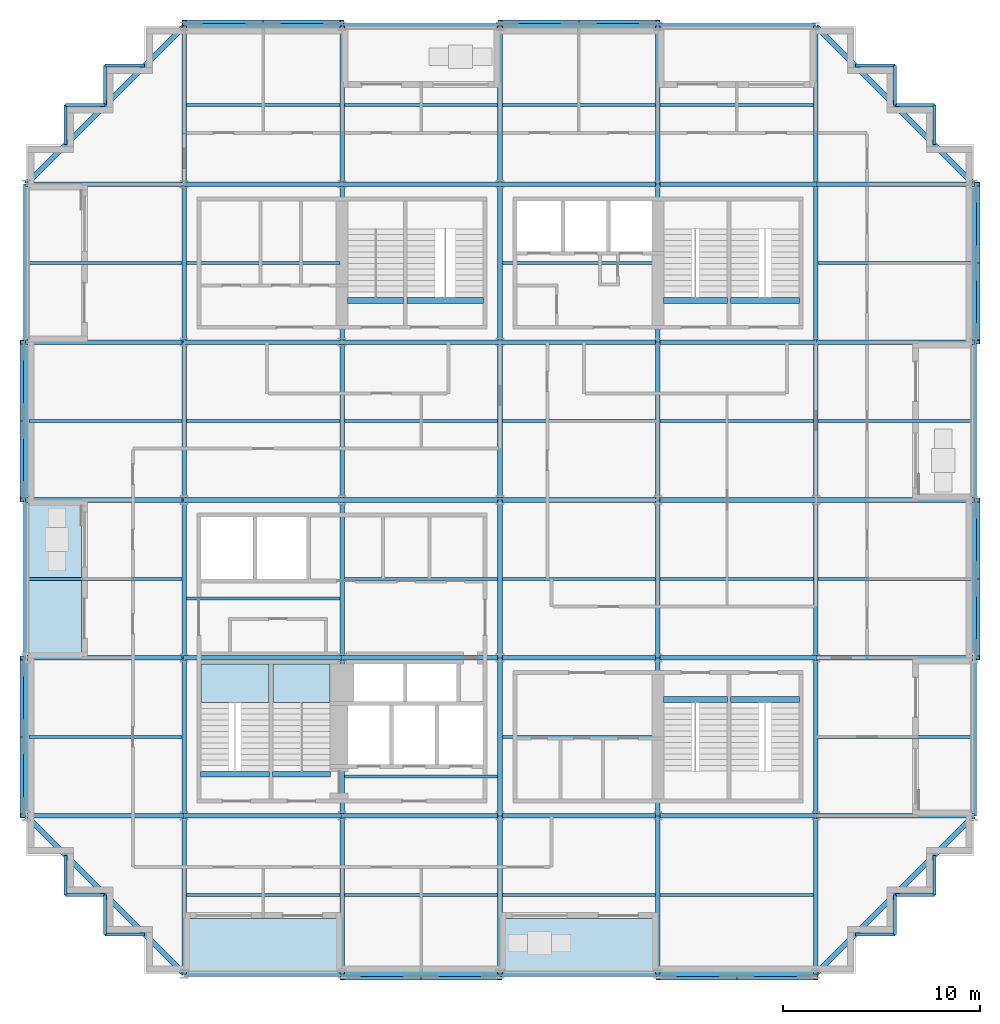
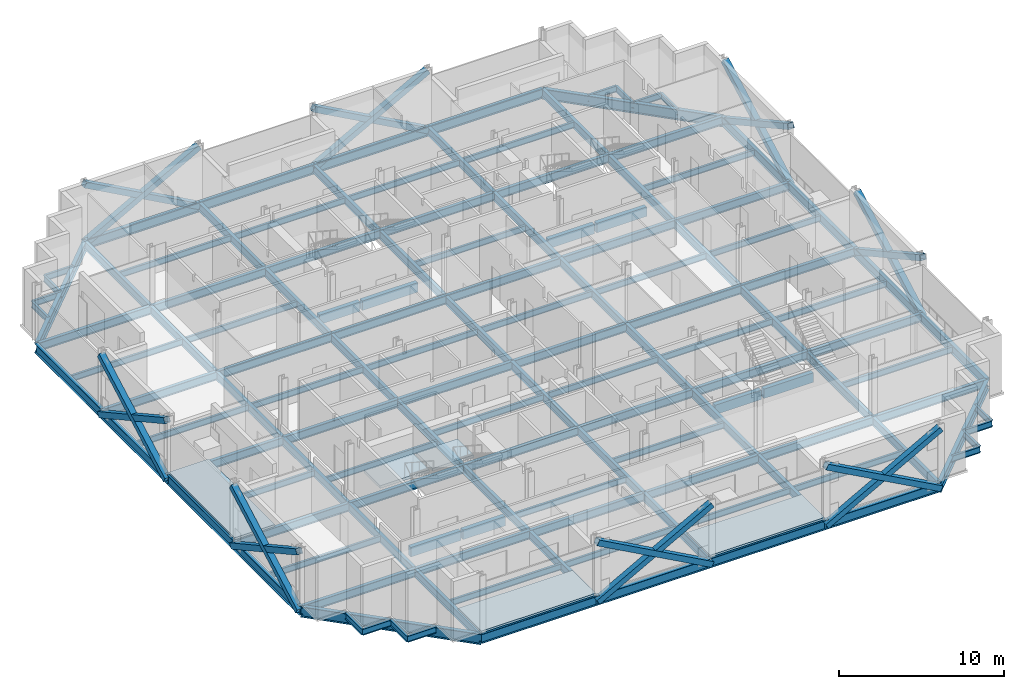
# One storey, part 4 of 15: 132 beams, 16 members, 5 slabs, 2 elements without a shape of their own.
"""IFC4 building model written with IfcOpenShell, lengths in metres."""

from ifc_helpers import new_model, si_unit, direction, frame, origin, origin_2d, place, context, subcontext, project, spatial, polyline, rectangle, hollow_rectangle, i_section, outline, extrude, material, layer, layer_set, material_profile, profile_set, type_object, element, aggregate, save


model = new_model("IFC4")

# Units and contexts
model_context = context("Model", 3, precision=1e-05, world=origin(), true_north=direction((0.0, 1.0)))
body_context = subcontext(model_context, "Body", "Model", "MODEL_VIEW")
ifc_project = project(units=[si_unit("LENGTHUNIT", "METRE"), si_unit("AREAUNIT", "SQUARE_METRE"), si_unit("VOLUMEUNIT", "CUBIC_METRE"), si_unit("PLANEANGLEUNIT", "RADIAN"), si_unit("MASSUNIT", "GRAM", prefix="KILO")], contexts=[model_context])

# Site, building, storey
site_placement = place(None, origin())
site = spatial("IfcSite", under=ifc_project, at=site_placement, CompositionType="ELEMENT")
building_placement = place(site_placement, origin())
building = spatial("IfcBuilding", under=site, at=building_placement, Name="Immortelle Media Tower", CompositionType="ELEMENT")
storey_placement = place(building_placement, frame((0.0, 0.0, 105.199951171875)))
storey = spatial("IfcBuildingStorey", under=building, at=storey_placement, Name="L20", CompositionType="ELEMENT", Elevation=105.199951171875)

# Members
ifc_material_1 = material(Name="Steel ASTM A500 Gr C", Category="steel")
ifc_material_profile_1 = material_profile(ifc_material_1, hollow_rectangle(XDim=0.406005859375, YDim=0.406005859375, WallThickness=0.014892578125, at=origin_2d()), Name="HSS16x16x5/8 brace")
ifc_profile_set_1 = profile_set([ifc_material_profile_1], Name="Steel ASTM A500 Gr C")
member_type = type_object("IfcMemberType", Name="HSS16x16x5/8 brace", PredefinedType="BRACE", material=ifc_profile_set_1)
for number, where, z_axis, x_axis, name in (
    (1, (-0.113037109375, 32.0, -0.496337890625), (0.0, -0.876220425204, 0.481910537812), (1.0, 0.0, 0.0), "Brace 1/D-E A"),
    (2, (-0.113037109375, 32.0, 3.903564453125), (0.0, -0.876220425204, -0.481910537812), (1.0, 0.0, 0.0), "Brace 1/D-E B"),
    (3, (-0.113037109375, 16.0, -0.496337890625), (0.0, -0.876220425204, 0.481910537812), (1.0, 0.0, 0.0), "Brace 1/B-C A"),
    (4, (-0.113037109375, 16.0, 3.903564453125), (0.0, -0.876220425204, -0.481910537812), (1.0, 0.0, 0.0), "Brace 1/B-C B"),
    (5, (16.0, -0.113037109375, -0.496337890625), (0.876220425204, 0.0, 0.481910537812), (0.0, 1.0, 0.0), "Brace A/3-4 A"),
    (6, (16.0, -0.113037109375, 3.903564453125), (0.876220425204, 0.0, -0.481910537812), (0.0, 1.0, 0.0), "Brace A/3-4 B"),
    (7, (32.0, -0.113037109375, -0.496337890625), (0.876220425204, 0.0, 0.481910537812), (0.0, 1.0, 0.0), "Brace A/5-6 A"),
    (8, (32.0, -0.113037109375, 3.903564453125), (0.876220425204, 0.0, -0.481910537812), (0.0, 1.0, 0.0), "Brace A/5-6 B"),
    (9, (48.113037109375, 16.0, -0.496337890625), (0.0, 0.876220425204, 0.481910537812), (-1.0, 0.0, 0.0), "Brace 7/C-D A"),
    (10, (48.113037109375, 16.0, 3.903564453125), (0.0, 0.876220425204, -0.481910537812), (-1.0, 0.0, 0.0), "Brace 7/C-D B"),
    (11, (48.113037109375, 32.0, -0.496337890625), (0.0, 0.876220425204, 0.481910537812), (-1.0, 0.0, 0.0), "Brace 7/E-F A"),
    (12, (48.113037109375, 32.0, 3.903564453125), (0.0, 0.876220425204, -0.481910537812), (-1.0, 0.0, 0.0), "Brace 7/E-F B"),
    (13, (32.0, 48.113037109375, -0.496337890625), (-0.876220425204, 0.0, 0.481910537812), (0.0, -1.0, 0.0), "Brace G/4-5 A"),
    (14, (32.0, 48.113037109375, 3.903564453125), (-0.876220425204, 0.0, -0.481910537812), (0.0, -1.0, 0.0), "Brace G/4-5 B"),
    (15, (16.0, 48.113037109375, -0.496337890625), (-0.876220425204, 0.0, 0.481910537812), (0.0, -1.0, 0.0), "Brace G/2-3 A"),
    (16, (16.0, 48.113037109375, 3.903564453125), (-0.876220425204, 0.0, -0.481910537812), (0.0, -1.0, 0.0), "Brace G/2-3 B"),
):
    element("IfcMember", number, at=place(storey_placement, frame(where, z_axis=z_axis, x_axis=x_axis)), inside=storey, type_object=member_type, Name=name, PredefinedType="BRACE", context=body_context, shape_type="SweptSolid", body=[
        extrude(hollow_rectangle(XDim=0.406005859375, YDim=0.406005859375, WallThickness=0.014892578125, at=origin_2d()), origin(), (0.0, 0.0, 1.0), 9.130126953125),
    ])

# Beams
ifc_material_2 = material(Name="Concrete C50/60", Category="concrete")
ifc_material_profile_2 = material_profile(ifc_material_2, rectangle(XDim=0.300048828125, YDim=0.699951171875, at=origin_2d()), Name="RC 300x700")
ifc_profile_set_2 = profile_set([ifc_material_profile_2], Name="Concrete C50/60")
beam_type_1 = type_object("IfcBeamType", Name="Stair trimmer beam 300 x 700", PredefinedType="BEAM", material=ifc_profile_set_2)
beam_1_placement = place(storey_placement, frame((8.830078125, 10.10498046875, -0.5), z_axis=(1.0, 0.0, 0.0), x_axis=(0.0, 1.0, 0.0)))
element("IfcBeam", 17, at=beam_1_placement, inside=storey, type_object=beam_type_1, Name="Stair trimmer beam SW1", PredefinedType="BEAM", context=body_context, shape_type="SweptSolid", body=[
    extrude(rectangle(XDim=0.300048828125, YDim=0.699951171875, at=origin_2d()), origin(), (0.0, 0.0, 1.0), 3.489990234375),
])
beam_2_placement = place(storey_placement, frame((12.47998046875, 10.10498046875, -0.5), z_axis=(1.0, 0.0, 0.0), x_axis=(0.0, 1.0, 0.0)))
element("IfcBeam", 18, at=beam_2_placement, inside=storey, type_object=beam_type_1, Name="Stair trimmer beam SW2", PredefinedType="BEAM", context=body_context, shape_type="SweptSolid", body=[
    extrude(rectangle(XDim=0.300048828125, YDim=0.699951171875, at=origin_2d()), origin(), (0.0, 0.0, 1.0), 2.93994140625),
])
beam_3_placement = place(storey_placement, frame((32.280029296875, 13.89501953125, -0.5), z_axis=(1.0, 0.0, 0.0), x_axis=(0.0, 1.0, 0.0)))
element("IfcBeam", 19, at=beam_3_placement, inside=storey, type_object=beam_type_1, Name="Stair trimmer beam SE1", PredefinedType="BEAM", context=body_context, shape_type="SweptSolid", body=[
    extrude(rectangle(XDim=0.300048828125, YDim=0.699951171875, at=origin_2d()), origin(), (0.0, 0.0, 1.0), 3.239990234375),
])
beam_4_placement = place(storey_placement, frame((35.679931640625, 13.89501953125, -0.5), z_axis=(1.0, 0.0, 0.0), x_axis=(0.0, 1.0, 0.0)))
element("IfcBeam", 20, at=beam_4_placement, inside=storey, type_object=beam_type_1, Name="Stair trimmer beam SE2", PredefinedType="BEAM", context=body_context, shape_type="SweptSolid", body=[
    extrude(rectangle(XDim=0.300048828125, YDim=0.699951171875, at=origin_2d()), origin(), (0.0, 0.0, 1.0), 3.489990234375),
])
beam_5_placement = place(storey_placement, frame((16.280029296875, 34.10498046875, -0.5), z_axis=(1.0, 0.0, 0.0), x_axis=(0.0, 1.0, 0.0)))
element("IfcBeam", 21, at=beam_5_placement, inside=storey, type_object=beam_type_1, Name="Stair trimmer beam NW1", PredefinedType="BEAM", context=body_context, shape_type="SweptSolid", body=[
    extrude(rectangle(XDim=0.300048828125, YDim=0.699951171875, at=origin_2d()), origin(), (0.0, 0.0, 1.0), 2.840087890625),
])
beam_6_placement = place(storey_placement, frame((19.280029296875, 34.10498046875, -0.5), z_axis=(1.0, 0.0, 0.0), x_axis=(0.0, 1.0, 0.0)))
element("IfcBeam", 22, at=beam_6_placement, inside=storey, type_object=beam_type_1, Name="Stair trimmer beam NW2", PredefinedType="BEAM", context=body_context, shape_type="SweptSolid", body=[
    extrude(rectangle(XDim=0.300048828125, YDim=0.699951171875, at=origin_2d()), origin(), (0.0, 0.0, 1.0), 3.889892578125),
])
beam_7_placement = place(storey_placement, frame((32.280029296875, 34.10498046875, -0.5), z_axis=(1.0, 0.0, 0.0), x_axis=(0.0, 1.0, 0.0)))
element("IfcBeam", 23, at=beam_7_placement, inside=storey, type_object=beam_type_1, Name="Stair trimmer beam NE1", PredefinedType="BEAM", context=body_context, shape_type="SweptSolid", body=[
    extrude(rectangle(XDim=0.300048828125, YDim=0.699951171875, at=origin_2d()), origin(), (0.0, 0.0, 1.0), 3.239990234375),
])
beam_8_placement = place(storey_placement, frame((35.679931640625, 34.10498046875, -0.5), z_axis=(1.0, 0.0, 0.0), x_axis=(0.0, 1.0, 0.0)))
element("IfcBeam", 24, at=beam_8_placement, inside=storey, type_object=beam_type_1, Name="Stair trimmer beam NE2", PredefinedType="BEAM", context=body_context, shape_type="SweptSolid", body=[
    extrude(rectangle(XDim=0.300048828125, YDim=0.699951171875, at=origin_2d()), origin(), (0.0, 0.0, 1.0), 3.489990234375),
])
ifc_material_3 = material(Name="Steel ASTM A992 Gr 50", Category="steel")
ifc_material_profile_3 = material_profile(ifc_material_3, i_section(OverallWidth=0.153076171875, OverallDepth=0.455078125, WebThickness=0.008056640625, FlangeThickness=0.012939453125, at=origin_2d()), Name="W18x40")
ifc_profile_set_3 = profile_set([ifc_material_profile_3], Name="Steel ASTM A992 Gr 50")
beam_type_2 = type_object("IfcBeamType", Name="W18x40 secondary beam", PredefinedType="JOIST", material=ifc_profile_set_3)
for number, where, z_axis, x_axis, name in (
    (25, (8.114501953125, 4.0, -0.37744140625), (1.0, 0.0, 0.0), (0.0, 1.0, 0.0), "Beam A-B/2-3"),
    (26, (16.114501953125, 4.0, -0.37744140625), (1.0, 0.0, 0.0), (0.0, 1.0, 0.0), "Beam A-B/3-4"),
    (27, (24.114501953125, 4.0, -0.37744140625), (1.0, 0.0, 0.0), (0.0, 1.0, 0.0), "Beam A-B/4-5"),
    (28, (32.114501953125, 4.0, -0.37744140625), (1.0, 0.0, 0.0), (0.0, 1.0, 0.0), "Beam A-B/5-6"),
):
    element("IfcBeam", number, at=place(storey_placement, frame(where, z_axis=z_axis, x_axis=x_axis)), inside=storey, type_object=beam_type_2, Name=name, PredefinedType="JOIST", context=body_context, shape_type="SweptSolid", body=[
        extrude(i_section(OverallWidth=0.153076171875, OverallDepth=0.455078125, WebThickness=0.008056640625, FlangeThickness=0.012939453125, at=origin_2d()), origin(), (0.0, 0.0, 1.0), 7.77099609375),
    ])
beam_9_placement = place(storey_placement, frame((0.12841796875, 12.0, -0.37744140625), z_axis=(1.0, 0.0, 0.0), x_axis=(0.0, 1.0, 0.0)))
element("IfcBeam", 29, at=beam_9_placement, inside=storey, type_object=beam_type_2, Name="Beam B-C/1-2", PredefinedType="JOIST", context=body_context, shape_type="SweptSolid", body=[
    extrude(i_section(OverallWidth=0.153076171875, OverallDepth=0.455078125, WebThickness=0.008056640625, FlangeThickness=0.012939453125, at=origin_2d()), origin(), (0.0, 0.0, 1.0), 7.757080078125),
])
for number, where, z_axis, x_axis, name in (
    (30, (16.114501953125, 10.0, -0.37744140625), (1.0, 0.0, 0.0), (0.0, 1.0, 0.0), "Beam B-C/3-4"),
    (31, (24.114501953125, 12.0, -0.37744140625), (1.0, 0.0, 0.0), (0.0, 1.0, 0.0), "Beam B-C/4-5"),
):
    element("IfcBeam", number, at=place(storey_placement, frame(where, z_axis=z_axis, x_axis=x_axis)), inside=storey, type_object=beam_type_2, Name=name, PredefinedType="JOIST", context=body_context, shape_type="SweptSolid", body=[
        extrude(i_section(OverallWidth=0.153076171875, OverallDepth=0.455078125, WebThickness=0.008056640625, FlangeThickness=0.012939453125, at=origin_2d()), origin(), (0.0, 0.0, 1.0), 7.77099609375),
    ])
for number, where, z_axis, x_axis, name in (
    (32, (40.114501953125, 12.0, -0.37744140625), (1.0, 0.0, 0.0), (0.0, 1.0, 0.0), "Beam B-C/6-7"),
    (33, (0.12841796875, 20.0, -0.37744140625), (1.0, 0.0, 0.0), (0.0, 1.0, 0.0), "Beam C-D/1-2"),
):
    element("IfcBeam", number, at=place(storey_placement, frame(where, z_axis=z_axis, x_axis=x_axis)), inside=storey, type_object=beam_type_2, Name=name, PredefinedType="JOIST", context=body_context, shape_type="SweptSolid", body=[
        extrude(i_section(OverallWidth=0.153076171875, OverallDepth=0.455078125, WebThickness=0.008056640625, FlangeThickness=0.012939453125, at=origin_2d()), origin(), (0.0, 0.0, 1.0), 7.757080078125),
    ])
for number, where, z_axis, x_axis, name in (
    (34, (8.114501953125, 19.0, -0.37744140625), (1.0, 0.0, 0.0), (0.0, 1.0, 0.0), "Beam C-D/2-3"),
    (35, (16.114501953125, 20.0, -0.37744140625), (1.0, 0.0, 0.0), (0.0, 1.0, 0.0), "Beam C-D/3-4"),
    (36, (24.114501953125, 20.0, -0.37744140625), (1.0, 0.0, 0.0), (0.0, 1.0, 0.0), "Beam C-D/4-5"),
    (37, (32.114501953125, 20.0, -0.37744140625), (1.0, 0.0, 0.0), (0.0, 1.0, 0.0), "Beam C-D/5-6"),
):
    element("IfcBeam", number, at=place(storey_placement, frame(where, z_axis=z_axis, x_axis=x_axis)), inside=storey, type_object=beam_type_2, Name=name, PredefinedType="JOIST", context=body_context, shape_type="SweptSolid", body=[
        extrude(i_section(OverallWidth=0.153076171875, OverallDepth=0.455078125, WebThickness=0.008056640625, FlangeThickness=0.012939453125, at=origin_2d()), origin(), (0.0, 0.0, 1.0), 7.77099609375),
    ])
for number, where, z_axis, x_axis, name in (
    (38, (40.114501953125, 20.0, -0.37744140625), (1.0, 0.0, 0.0), (0.0, 1.0, 0.0), "Beam C-D/6-7"),
    (39, (0.12841796875, 28.0, -0.37744140625), (1.0, 0.0, 0.0), (0.0, 1.0, 0.0), "Beam D-E/1-2"),
):
    element("IfcBeam", number, at=place(storey_placement, frame(where, z_axis=z_axis, x_axis=x_axis)), inside=storey, type_object=beam_type_2, Name=name, PredefinedType="JOIST", context=body_context, shape_type="SweptSolid", body=[
        extrude(i_section(OverallWidth=0.153076171875, OverallDepth=0.455078125, WebThickness=0.008056640625, FlangeThickness=0.012939453125, at=origin_2d()), origin(), (0.0, 0.0, 1.0), 7.757080078125),
    ])
for number, where, z_axis, x_axis, name in (
    (40, (8.114501953125, 28.0, -0.37744140625), (1.0, 0.0, 0.0), (0.0, 1.0, 0.0), "Beam D-E/2-3"),
    (41, (16.114501953125, 28.0, -0.37744140625), (1.0, 0.0, 0.0), (0.0, 1.0, 0.0), "Beam D-E/3-4"),
    (42, (24.114501953125, 28.0, -0.37744140625), (1.0, 0.0, 0.0), (0.0, 1.0, 0.0), "Beam D-E/4-5"),
    (43, (32.114501953125, 28.0, -0.37744140625), (1.0, 0.0, 0.0), (0.0, 1.0, 0.0), "Beam D-E/5-6"),
):
    element("IfcBeam", number, at=place(storey_placement, frame(where, z_axis=z_axis, x_axis=x_axis)), inside=storey, type_object=beam_type_2, Name=name, PredefinedType="JOIST", context=body_context, shape_type="SweptSolid", body=[
        extrude(i_section(OverallWidth=0.153076171875, OverallDepth=0.455078125, WebThickness=0.008056640625, FlangeThickness=0.012939453125, at=origin_2d()), origin(), (0.0, 0.0, 1.0), 7.77099609375),
    ])
for number, where, z_axis, x_axis, name in (
    (44, (40.114501953125, 28.0, -0.37744140625), (1.0, 0.0, 0.0), (0.0, 1.0, 0.0), "Beam D-E/6-7"),
    (45, (0.12841796875, 36.0, -0.37744140625), (1.0, 0.0, 0.0), (0.0, 1.0, 0.0), "Beam E-F/1-2"),
):
    element("IfcBeam", number, at=place(storey_placement, frame(where, z_axis=z_axis, x_axis=x_axis)), inside=storey, type_object=beam_type_2, Name=name, PredefinedType="JOIST", context=body_context, shape_type="SweptSolid", body=[
        extrude(i_section(OverallWidth=0.153076171875, OverallDepth=0.455078125, WebThickness=0.008056640625, FlangeThickness=0.012939453125, at=origin_2d()), origin(), (0.0, 0.0, 1.0), 7.757080078125),
    ])
for number, where, z_axis, x_axis, name in (
    (46, (8.114501953125, 36.0, -0.37744140625), (1.0, 0.0, 0.0), (0.0, 1.0, 0.0), "Beam E-F/2-3"),
    (47, (24.114501953125, 36.0, -0.37744140625), (1.0, 0.0, 0.0), (0.0, 1.0, 0.0), "Beam E-F/4-5"),
):
    element("IfcBeam", number, at=place(storey_placement, frame(where, z_axis=z_axis, x_axis=x_axis)), inside=storey, type_object=beam_type_2, Name=name, PredefinedType="JOIST", context=body_context, shape_type="SweptSolid", body=[
        extrude(i_section(OverallWidth=0.153076171875, OverallDepth=0.455078125, WebThickness=0.008056640625, FlangeThickness=0.012939453125, at=origin_2d()), origin(), (0.0, 0.0, 1.0), 7.77099609375),
    ])
beam_10_placement = place(storey_placement, frame((40.114501953125, 36.0, -0.37744140625), z_axis=(1.0, 0.0, 0.0), x_axis=(0.0, 1.0, 0.0)))
element("IfcBeam", 48, at=beam_10_placement, inside=storey, type_object=beam_type_2, Name="Beam E-F/6-7", PredefinedType="JOIST", context=body_context, shape_type="SweptSolid", body=[
    extrude(i_section(OverallWidth=0.153076171875, OverallDepth=0.455078125, WebThickness=0.008056640625, FlangeThickness=0.012939453125, at=origin_2d()), origin(), (0.0, 0.0, 1.0), 7.757080078125),
])
for number, where, z_axis, x_axis, name in (
    (49, (8.114501953125, 44.0, -0.37744140625), (1.0, 0.0, 0.0), (0.0, 1.0, 0.0), "Beam F-G/2-3"),
    (50, (16.114501953125, 44.0, -0.37744140625), (1.0, 0.0, 0.0), (0.0, 1.0, 0.0), "Beam F-G/3-4"),
    (51, (24.114501953125, 44.0, -0.37744140625), (1.0, 0.0, 0.0), (0.0, 1.0, 0.0), "Beam F-G/4-5"),
    (52, (32.114501953125, 44.0, -0.37744140625), (1.0, 0.0, 0.0), (0.0, 1.0, 0.0), "Beam F-G/5-6"),
):
    element("IfcBeam", number, at=place(storey_placement, frame(where, z_axis=z_axis, x_axis=x_axis)), inside=storey, type_object=beam_type_2, Name=name, PredefinedType="JOIST", context=body_context, shape_type="SweptSolid", body=[
        extrude(i_section(OverallWidth=0.153076171875, OverallDepth=0.455078125, WebThickness=0.008056640625, FlangeThickness=0.012939453125, at=origin_2d()), origin(), (0.0, 0.0, 1.0), 7.77099609375),
    ])
ifc_material_profile_4 = material_profile(ifc_material_3, i_section(OverallWidth=0.153076171875, OverallDepth=0.455078125, WebThickness=0.008056640625, FlangeThickness=0.012939453125, at=origin_2d()), Name="W18x40")
ifc_profile_set_4 = profile_set([ifc_material_profile_4], Name="Steel ASTM A992 Gr 50")
beam_type_3 = type_object("IfcBeamType", Name="W18x40 serration edge beam", PredefinedType="SPANDREL", material=ifc_profile_set_4)
for number, where, z_axis, x_axis, name in (
    (53, (6.0, 2.0, -0.37744140625), (-1.0, 0.0, 0.0), (0.0, -1.0, 0.0), "Corner edge beam 1 at 1/A"),
    (54, (4.0, 2.0, -0.37744140625), (0.0, 1.0, 0.0), (-1.0, 0.0, 0.0), "Corner edge beam 2 at 1/A"),
    (55, (4.0, 4.0, -0.37744140625), (-1.0, 0.0, 0.0), (0.0, -1.0, 0.0), "Corner edge beam 3 at 1/A"),
    (56, (2.0, 4.0, -0.37744140625), (0.0, 1.0, 0.0), (-1.0, 0.0, 0.0), "Corner edge beam 4 at 1/A"),
    (57, (2.0, 42.0, -0.37744140625), (0.0, 1.0, 0.0), (-1.0, 0.0, 0.0), "Corner edge beam 1 at 1/G"),
    (58, (2.0, 44.0, -0.37744140625), (1.0, 0.0, 0.0), (0.0, 1.0, 0.0), "Corner edge beam 2 at 1/G"),
    (59, (4.0, 44.0, -0.37744140625), (0.0, 1.0, 0.0), (-1.0, 0.0, 0.0), "Corner edge beam 3 at 1/G"),
    (60, (4.0, 46.0, -0.37744140625), (1.0, 0.0, 0.0), (0.0, 1.0, 0.0), "Corner edge beam 4 at 1/G"),
    (61, (46.0, 6.0, -0.37744140625), (0.0, -1.0, 0.0), (1.0, 0.0, 0.0), "Corner edge beam 1 at 7/A"),
    (62, (46.0, 4.0, -0.37744140625), (-1.0, 0.0, 0.0), (0.0, -1.0, 0.0), "Corner edge beam 2 at 7/A"),
    (63, (44.0, 4.0, -0.37744140625), (0.0, -1.0, 0.0), (1.0, 0.0, 0.0), "Corner edge beam 3 at 7/A"),
    (64, (44.0, 2.0, -0.37744140625), (-1.0, 0.0, 0.0), (0.0, -1.0, 0.0), "Corner edge beam 4 at 7/A"),
    (65, (42.0, 46.0, -0.37744140625), (1.0, 0.0, 0.0), (0.0, 1.0, 0.0), "Corner edge beam 1 at 7/G"),
    (66, (44.0, 46.0, -0.37744140625), (0.0, -1.0, 0.0), (1.0, 0.0, 0.0), "Corner edge beam 2 at 7/G"),
    (67, (44.0, 44.0, -0.37744140625), (1.0, 0.0, 0.0), (0.0, 1.0, 0.0), "Corner edge beam 3 at 7/G"),
    (68, (46.0, 44.0, -0.37744140625), (0.0, -1.0, 0.0), (1.0, 0.0, 0.0), "Corner edge beam 4 at 7/G"),
):
    element("IfcBeam", number, at=place(storey_placement, frame(where, z_axis=z_axis, x_axis=x_axis)), inside=storey, type_object=beam_type_3, Name=name, PredefinedType="SPANDREL", context=body_context, shape_type="SweptSolid", body=[
        extrude(i_section(OverallWidth=0.153076171875, OverallDepth=0.455078125, WebThickness=0.008056640625, FlangeThickness=0.012939453125, at=origin_2d()), origin(), (0.0, 0.0, 1.0), 2.0),
    ])
ifc_material_profile_5 = material_profile(ifc_material_3, i_section(OverallWidth=0.22900390625, OverallDepth=0.612060546875, WebThickness=0.011962890625, FlangeThickness=0.02001953125, at=origin_2d()), Name="W24x84")
ifc_profile_set_5 = profile_set([ifc_material_profile_5], Name="Steel ASTM A992 Gr 50")
beam_type_4 = type_object("IfcBeamType", Name="W24x84 girder", PredefinedType="BEAM", material=ifc_profile_set_5)
for number, where, z_axis, x_axis, name in (
    (69, (0.0, 8.0, -0.4560546875), (1.0, 0.0, 0.0), (0.0, 1.0, 0.0), "Girder B/1-2"),
    (70, (0.0, 16.0, -0.4560546875), (1.0, 0.0, 0.0), (0.0, 1.0, 0.0), "Girder C/1-2"),
    (71, (0.0, 24.0, -0.4560546875), (1.0, 0.0, 0.0), (0.0, 1.0, 0.0), "Girder D/1-2"),
    (72, (0.0, 32.0, -0.4560546875), (1.0, 0.0, 0.0), (0.0, 1.0, 0.0), "Girder E/1-2"),
    (73, (0.0, 40.0, -0.4560546875), (1.0, 0.0, 0.0), (0.0, 1.0, 0.0), "Girder F/1-2"),
    (74, (8.0, 0.0, -0.4560546875), (0.0, 1.0, 0.0), (-1.0, 0.0, 0.0), "Girder 2/A-B"),
    (75, (8.0, 8.0, -0.4560546875), (1.0, 0.0, 0.0), (0.0, 1.0, 0.0), "Girder B/2-3"),
    (76, (8.0, 8.0, -0.4560546875), (0.0, 1.0, 0.0), (-1.0, 0.0, 0.0), "Girder 2/B-C"),
    (77, (8.0, 16.0, -0.4560546875), (1.0, 0.0, 0.0), (0.0, 1.0, 0.0), "Girder C/2-3"),
    (78, (8.0, 16.0, -0.4560546875), (0.0, 1.0, 0.0), (-1.0, 0.0, 0.0), "Girder 2/C-D"),
    (79, (8.0, 24.0, -0.4560546875), (1.0, 0.0, 0.0), (0.0, 1.0, 0.0), "Girder D/2-3"),
    (80, (8.0, 24.0, -0.4560546875), (0.0, 1.0, 0.0), (-1.0, 0.0, 0.0), "Girder 2/D-E"),
    (81, (8.0, 32.0, -0.4560546875), (1.0, 0.0, 0.0), (0.0, 1.0, 0.0), "Girder E/2-3"),
    (82, (8.0, 32.0, -0.4560546875), (0.0, 1.0, 0.0), (-1.0, 0.0, 0.0), "Girder 2/E-F"),
    (83, (8.0, 40.0, -0.4560546875), (1.0, 0.0, 0.0), (0.0, 1.0, 0.0), "Girder F/2-3"),
    (84, (8.0, 40.0, -0.4560546875), (0.0, 1.0, 0.0), (-1.0, 0.0, 0.0), "Girder 2/F-G"),
    (85, (16.0, 0.0, -0.4560546875), (0.0, 1.0, 0.0), (-1.0, 0.0, 0.0), "Girder 3/A-B"),
    (86, (16.0, 8.0, -0.4560546875), (1.0, 0.0, 0.0), (0.0, 1.0, 0.0), "Girder B/3-4"),
    (87, (16.0, 8.0, -0.4560546875), (0.0, 1.0, 0.0), (-1.0, 0.0, 0.0), "Girder 3/B-C"),
    (88, (16.0, 16.0, -0.4560546875), (1.0, 0.0, 0.0), (0.0, 1.0, 0.0), "Girder C/3-4"),
    (89, (16.0, 16.0, -0.4560546875), (0.0, 1.0, 0.0), (-1.0, 0.0, 0.0), "Girder 3/C-D"),
    (90, (16.0, 24.0, -0.4560546875), (1.0, 0.0, 0.0), (0.0, 1.0, 0.0), "Girder D/3-4"),
    (91, (16.0, 24.0, -0.4560546875), (0.0, 1.0, 0.0), (-1.0, 0.0, 0.0), "Girder 3/D-E"),
    (92, (16.0, 32.0, -0.4560546875), (1.0, 0.0, 0.0), (0.0, 1.0, 0.0), "Girder E/3-4"),
    (93, (16.0, 32.0, -0.4560546875), (0.0, 1.0, 0.0), (-1.0, 0.0, 0.0), "Girder 3/E-F"),
    (94, (16.0, 40.0, -0.4560546875), (1.0, 0.0, 0.0), (0.0, 1.0, 0.0), "Girder F/3-4"),
    (95, (16.0, 40.0, -0.4560546875), (0.0, 1.0, 0.0), (-1.0, 0.0, 0.0), "Girder 3/F-G"),
    (96, (24.0, 0.0, -0.4560546875), (0.0, 1.0, 0.0), (-1.0, 0.0, 0.0), "Girder 4/A-B"),
    (97, (24.0, 8.0, -0.4560546875), (1.0, 0.0, 0.0), (0.0, 1.0, 0.0), "Girder B/4-5"),
    (98, (24.0, 8.0, -0.4560546875), (0.0, 1.0, 0.0), (-1.0, 0.0, 0.0), "Girder 4/B-C"),
    (99, (24.0, 16.0, -0.4560546875), (1.0, 0.0, 0.0), (0.0, 1.0, 0.0), "Girder C/4-5"),
    (100, (24.0, 16.0, -0.4560546875), (0.0, 1.0, 0.0), (-1.0, 0.0, 0.0), "Girder 4/C-D"),
    (101, (24.0, 24.0, -0.4560546875), (1.0, 0.0, 0.0), (0.0, 1.0, 0.0), "Girder D/4-5"),
    (102, (24.0, 24.0, -0.4560546875), (0.0, 1.0, 0.0), (-1.0, 0.0, 0.0), "Girder 4/D-E"),
    (103, (24.0, 32.0, -0.4560546875), (1.0, 0.0, 0.0), (0.0, 1.0, 0.0), "Girder E/4-5"),
    (104, (24.0, 32.0, -0.4560546875), (0.0, 1.0, 0.0), (-1.0, 0.0, 0.0), "Girder 4/E-F"),
    (105, (24.0, 40.0, -0.4560546875), (1.0, 0.0, 0.0), (0.0, 1.0, 0.0), "Girder F/4-5"),
    (106, (24.0, 40.0, -0.4560546875), (0.0, 1.0, 0.0), (-1.0, 0.0, 0.0), "Girder 4/F-G"),
    (107, (32.0, 0.0, -0.4560546875), (0.0, 1.0, 0.0), (-1.0, 0.0, 0.0), "Girder 5/A-B"),
    (108, (32.0, 8.0, -0.4560546875), (1.0, 0.0, 0.0), (0.0, 1.0, 0.0), "Girder B/5-6"),
    (109, (32.0, 8.0, -0.4560546875), (0.0, 1.0, 0.0), (-1.0, 0.0, 0.0), "Girder 5/B-C"),
    (110, (32.0, 16.0, -0.4560546875), (1.0, 0.0, 0.0), (0.0, 1.0, 0.0), "Girder C/5-6"),
    (111, (32.0, 16.0, -0.4560546875), (0.0, 1.0, 0.0), (-1.0, 0.0, 0.0), "Girder 5/C-D"),
    (112, (32.0, 24.0, -0.4560546875), (1.0, 0.0, 0.0), (0.0, 1.0, 0.0), "Girder D/5-6"),
    (113, (32.0, 24.0, -0.4560546875), (0.0, 1.0, 0.0), (-1.0, 0.0, 0.0), "Girder 5/D-E"),
    (114, (32.0, 32.0, -0.4560546875), (1.0, 0.0, 0.0), (0.0, 1.0, 0.0), "Girder E/5-6"),
    (115, (32.0, 32.0, -0.4560546875), (0.0, 1.0, 0.0), (-1.0, 0.0, 0.0), "Girder 5/E-F"),
    (116, (32.0, 40.0, -0.4560546875), (1.0, 0.0, 0.0), (0.0, 1.0, 0.0), "Girder F/5-6"),
    (117, (32.0, 40.0, -0.4560546875), (0.0, 1.0, 0.0), (-1.0, 0.0, 0.0), "Girder 5/F-G"),
    (118, (40.0, 0.0, -0.4560546875), (0.0, 1.0, 0.0), (-1.0, 0.0, 0.0), "Girder 6/A-B"),
    (119, (40.0, 8.0, -0.4560546875), (1.0, 0.0, 0.0), (0.0, 1.0, 0.0), "Girder B/6-7"),
    (120, (40.0, 8.0, -0.4560546875), (0.0, 1.0, 0.0), (-1.0, 0.0, 0.0), "Girder 6/B-C"),
    (121, (40.0, 16.0, -0.4560546875), (1.0, 0.0, 0.0), (0.0, 1.0, 0.0), "Girder C/6-7"),
    (122, (40.0, 16.0, -0.4560546875), (0.0, 1.0, 0.0), (-1.0, 0.0, 0.0), "Girder 6/C-D"),
    (123, (40.0, 24.0, -0.4560546875), (1.0, 0.0, 0.0), (0.0, 1.0, 0.0), "Girder D/6-7"),
    (124, (40.0, 24.0, -0.4560546875), (0.0, 1.0, 0.0), (-1.0, 0.0, 0.0), "Girder 6/D-E"),
    (125, (40.0, 32.0, -0.4560546875), (1.0, 0.0, 0.0), (0.0, 1.0, 0.0), "Girder E/6-7"),
    (126, (40.0, 32.0, -0.4560546875), (0.0, 1.0, 0.0), (-1.0, 0.0, 0.0), "Girder 6/E-F"),
    (127, (40.0, 40.0, -0.4560546875), (1.0, 0.0, 0.0), (0.0, 1.0, 0.0), "Girder F/6-7"),
    (128, (40.0, 40.0, -0.4560546875), (0.0, 1.0, 0.0), (-1.0, 0.0, 0.0), "Girder 6/F-G"),
):
    element("IfcBeam", number, at=place(storey_placement, frame(where, z_axis=z_axis, x_axis=x_axis)), inside=storey, type_object=beam_type_4, Name=name, PredefinedType="BEAM", context=body_context, shape_type="SweptSolid", body=[
        extrude(i_section(OverallWidth=0.22900390625, OverallDepth=0.612060546875, WebThickness=0.011962890625, FlangeThickness=0.02001953125, at=origin_2d()), origin(), (0.0, 0.0, 1.0), 8.0),
    ])
ifc_material_profile_6 = material_profile(ifc_material_3, i_section(OverallWidth=0.257080078125, OverallDepth=0.693115234375, WebThickness=0.013916015625, FlangeThickness=0.02392578125, at=origin_2d()), Name="W27x114")
ifc_profile_set_6 = profile_set([ifc_material_profile_6], Name="Steel ASTM A992 Gr 50")
beam_type_5 = type_object("IfcBeamType", Name="W27x114 perimeter girder", PredefinedType="SPANDREL", material=ifc_profile_set_6)
for number, where, z_axis, x_axis, name in (
    (129, (0.0, 8.0, -0.496337890625), (0.0, 1.0, 0.0), (-1.0, 0.0, 0.0), "Girder 1/B-C"),
    (130, (0.0, 16.0, -0.496337890625), (0.0, 1.0, 0.0), (-1.0, 0.0, 0.0), "Girder 1/C-D"),
    (131, (0.0, 24.0, -0.496337890625), (0.0, 1.0, 0.0), (-1.0, 0.0, 0.0), "Girder 1/D-E"),
    (132, (0.0, 32.0, -0.496337890625), (0.0, 1.0, 0.0), (-1.0, 0.0, 0.0), "Girder 1/E-F"),
    (133, (8.0, 0.0, -0.496337890625), (1.0, 0.0, 0.0), (0.0, 1.0, 0.0), "Girder A/2-3"),
    (134, (8.0, 48.0, -0.496337890625), (1.0, 0.0, 0.0), (0.0, 1.0, 0.0), "Girder G/2-3"),
    (135, (16.0, 0.0, -0.496337890625), (1.0, 0.0, 0.0), (0.0, 1.0, 0.0), "Girder A/3-4"),
    (136, (16.0, 48.0, -0.496337890625), (1.0, 0.0, 0.0), (0.0, 1.0, 0.0), "Girder G/3-4"),
    (137, (24.0, 0.0, -0.496337890625), (1.0, 0.0, 0.0), (0.0, 1.0, 0.0), "Girder A/4-5"),
    (138, (24.0, 48.0, -0.496337890625), (1.0, 0.0, 0.0), (0.0, 1.0, 0.0), "Girder G/4-5"),
    (139, (32.0, 0.0, -0.496337890625), (1.0, 0.0, 0.0), (0.0, 1.0, 0.0), "Girder A/5-6"),
    (140, (32.0, 48.0, -0.496337890625), (1.0, 0.0, 0.0), (0.0, 1.0, 0.0), "Girder G/5-6"),
    (141, (48.0, 8.0, -0.496337890625), (0.0, 1.0, 0.0), (-1.0, 0.0, 0.0), "Girder 7/B-C"),
    (142, (48.0, 16.0, -0.496337890625), (0.0, 1.0, 0.0), (-1.0, 0.0, 0.0), "Girder 7/C-D"),
    (143, (48.0, 24.0, -0.496337890625), (0.0, 1.0, 0.0), (-1.0, 0.0, 0.0), "Girder 7/D-E"),
    (144, (48.0, 32.0, -0.496337890625), (0.0, 1.0, 0.0), (-1.0, 0.0, 0.0), "Girder 7/E-F"),
):
    element("IfcBeam", number, at=place(storey_placement, frame(where, z_axis=z_axis, x_axis=x_axis)), inside=storey, type_object=beam_type_5, Name=name, PredefinedType="SPANDREL", context=body_context, shape_type="SweptSolid", body=[
        extrude(i_section(OverallWidth=0.257080078125, OverallDepth=0.693115234375, WebThickness=0.013916015625, FlangeThickness=0.02392578125, at=origin_2d()), origin(), (0.0, 0.0, 1.0), 8.0),
    ])
ifc_material_profile_7 = material_profile(ifc_material_3, i_section(OverallWidth=0.26708984375, OverallDepth=0.780029296875, WebThickness=0.01708984375, FlangeThickness=0.030029296875, at=origin_2d()), Name="W30x148")
ifc_profile_set_7 = profile_set([ifc_material_profile_7], Name="Steel ASTM A992 Gr 50")
beam_type_6 = type_object("IfcBeamType", Name="W30x148 corner girder", PredefinedType="SPANDREL", material=ifc_profile_set_7)
for number, where, z_axis, x_axis, name in (
    (145, (8.0, 0.0, -0.5400390625), (-0.707106781187, 0.707106781187, 0.0), (-0.707106781187, -0.707106781187, 0.0), "Corner girder at 1/A"),
    (146, (0.0, 40.0, -0.5400390625), (0.707106781187, 0.707106781187, 0.0), (-0.707106781187, 0.707106781187, 0.0), "Corner girder at 1/G"),
    (147, (48.0, 8.0, -0.5400390625), (-0.707106781187, -0.707106781187, 0.0), (0.707106781187, -0.707106781187, 0.0), "Corner girder at 7/A"),
    (148, (40.0, 48.0, -0.5400390625), (0.707106781187, -0.707106781187, 0.0), (0.707106781187, 0.707106781187, 0.0), "Corner girder at 7/G"),
):
    element("IfcBeam", number, at=place(storey_placement, frame(where, z_axis=z_axis, x_axis=x_axis)), inside=storey, type_object=beam_type_6, Name=name, PredefinedType="SPANDREL", context=body_context, shape_type="SweptSolid", body=[
        extrude(i_section(OverallWidth=0.26708984375, OverallDepth=0.780029296875, WebThickness=0.01708984375, FlangeThickness=0.030029296875, at=origin_2d()), origin(), (0.0, 0.0, 1.0), 11.313720703125),
    ])

# Slabs
ifc_material_4 = material(Name="Concrete C50/60 composite deck", Category="concrete")
ifc_layer_1 = layer(ifc_material_4, 0.14990234375)
ifc_layer_set_1 = layer_set([ifc_layer_1], Name="Concrete C50/60 composite deck")
slab_type_1 = type_object("IfcSlabType", Name="Balcony slab 150", PredefinedType="FLOOR", material=ifc_layer_set_1)
slab_1_placement = place(storey_placement, frame((0.0, 0.0, -0.14990234375)))
element("IfcSlab", 149, at=slab_1_placement, inside=storey, type_object=slab_type_1, Name="Balcony slab L20 W2", PredefinedType="FLOOR", context=body_context, shape_type="SweptSolid", body=[
    extrude(outline(polyline([(2.800048828125, 16.0), (2.800048828125, 24.0), (0.0, 24.0), (0.0, 16.0), (2.800048828125, 16.0)])), origin(), (0.0, 0.0, 1.0), 0.14990234375),
])
slab_2_placement = place(storey_placement, frame((0.0, 0.0, -0.14990234375)))
element("IfcSlab", 150, at=slab_2_placement, inside=storey, type_object=slab_type_1, Name="Balcony slab L20 S0", PredefinedType="FLOOR", context=body_context, shape_type="SweptSolid", body=[
    extrude(outline(polyline([(16.0, 0.0), (16.0, 2.800048828125), (8.0, 2.800048828125), (8.0, 0.0), (16.0, 0.0)])), origin(), (0.0, 0.0, 1.0), 0.14990234375),
])
slab_3_placement = place(storey_placement, frame((0.0, 0.0, -0.14990234375)))
element("IfcSlab", 151, at=slab_3_placement, inside=storey, type_object=slab_type_1, Name="Balcony slab L20 S2", PredefinedType="FLOOR", context=body_context, shape_type="SweptSolid", body=[
    extrude(outline(polyline([(32.0, 0.0), (32.0, 2.800048828125), (24.0, 2.800048828125), (24.0, 0.0), (32.0, 0.0)])), origin(), (0.0, 0.0, 1.0), 0.14990234375),
])

# Stair, slab
stair_type = type_object("IfcStairType", Name="Stair with flights", PredefinedType="DOUBLE_RETURN_STAIR", material=ifc_material_3)
stair_1_placement = place(storey_placement, origin())
stair_1 = element("IfcStair", 152, at=stair_1_placement, inside=storey, type_object=stair_type, Name="Exit stair SW1", PredefinedType="DOUBLE_RETURN_STAIR")
ifc_material_5 = material(Name="Steel ASTM A572 Gr 50", Category="steel")
ifc_layer_2 = layer(ifc_material_5, 0.199951171875)
ifc_layer_set_2 = layer_set([ifc_layer_2], Name="Steel ASTM A572 Gr 50")
slab_type_2 = type_object("IfcSlabType", Name="Stair landing 200", PredefinedType="LANDING", material=ifc_layer_set_2)
slab_4_placement = place(storey_placement, frame((0.0, 0.0, 1.912109375)))
slab_4 = element("IfcSlab", 153, at=slab_4_placement, type_object=slab_type_2, Name="ST SW1 landing 1", PredefinedType="LANDING", context=body_context, shape_type="SweptSolid", body=[
    extrude(outline(polyline([(8.85009765625, 13.72998046875), (12.300048828125, 13.72998046875), (12.300048828125, 15.699951171875), (8.85009765625, 15.699951171875), (8.85009765625, 13.72998046875)])), origin(), (0.0, 0.0, 1.0), 0.199951171875),
])
aggregate(stair_1, [slab_4])

stair_2_placement = place(storey_placement, origin())
stair_2 = element("IfcStair", 154, at=stair_2_placement, inside=storey, type_object=stair_type, Name="Exit stair SW2", PredefinedType="DOUBLE_RETURN_STAIR")
slab_5_placement = place(storey_placement, frame((0.0, 0.0, 1.912109375)))
slab_5 = element("IfcSlab", 155, at=slab_5_placement, type_object=slab_type_2, Name="ST SW2 landing 1", PredefinedType="LANDING", context=body_context, shape_type="SweptSolid", body=[
    extrude(outline(polyline([(12.5, 13.72998046875), (15.39990234375, 13.72998046875), (15.39990234375, 15.699951171875), (12.5, 15.699951171875), (12.5, 13.72998046875)])), origin(), (0.0, 0.0, 1.0), 0.199951171875),
])
aggregate(stair_2, [slab_5])

save(model, "model.ifc")
